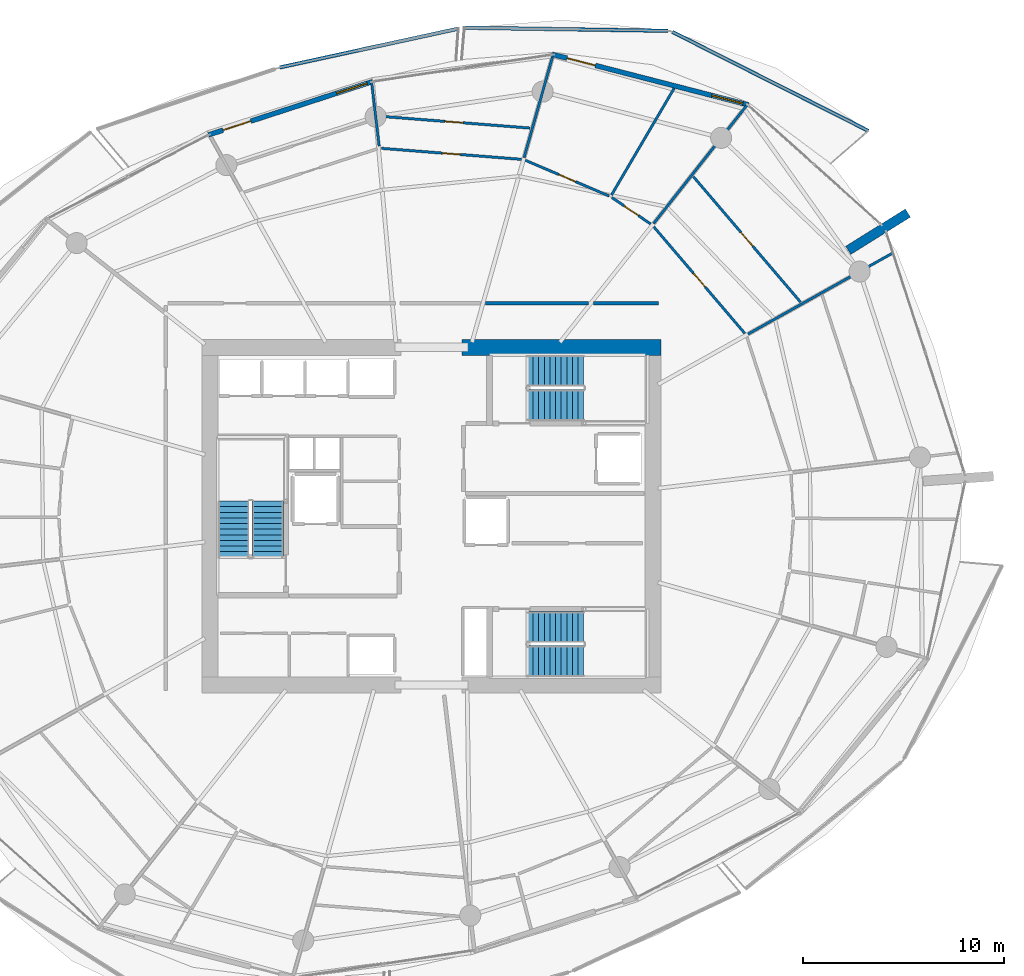
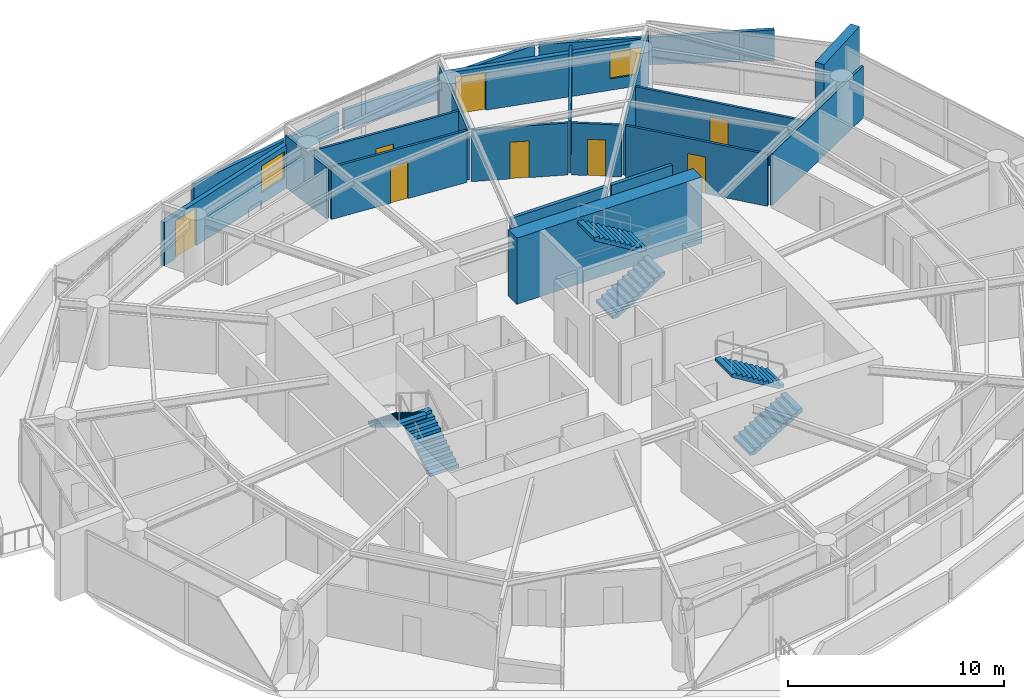
# One storey, part 15 of 20: 20 walls, 8 doors, 6 stair flights, 2 windows, 10 openings, 3 elements without a shape of their own.
"""IFC4 building model written with IfcOpenShell, lengths in metres."""

from ifc_helpers import new_model, si_unit, direction, frame, frame_2d, origin, place, context, subcontext, project, spatial, polyline, rectangle, outline, extrude, material, layer, layer_set, type_object, element, fill, aggregate, save


model = new_model("IFC4")

# Units and contexts
model_context = context("Model", 3, precision=1e-05, world=origin(), true_north=direction((0.0, 1.0)))
body_context = subcontext(model_context, "Body", "Model", "MODEL_VIEW")
ifc_project = project(units=[si_unit("LENGTHUNIT", "METRE"), si_unit("AREAUNIT", "SQUARE_METRE"), si_unit("VOLUMEUNIT", "CUBIC_METRE"), si_unit("PLANEANGLEUNIT", "RADIAN"), si_unit("MASSUNIT", "GRAM", prefix="KILO")], contexts=[model_context])

# Site, building, storey
site_placement = place(None, origin())
site = spatial("IfcSite", under=ifc_project, at=site_placement, CompositionType="ELEMENT")
building_placement = place(site_placement, origin())
building = spatial("IfcBuilding", under=site, at=building_placement, Name="Kazma Halo Residences", CompositionType="ELEMENT")
storey_placement = place(building_placement, frame((0.0, 0.0, 142.800048828125)))
storey = spatial("IfcBuildingStorey", under=building, at=storey_placement, Name="L35", CompositionType="ELEMENT", Elevation=142.800048828125)

# Walls
ifc_material_1 = material(Name="White Concrete C50/60 Balustrade", Category="concrete")
ifc_layer_1 = layer(ifc_material_1, 0.179931640625)
ifc_layer_set_1 = layer_set([ifc_layer_1], Name="White Concrete C50/60 Balustrade")
wall_type_1 = type_object("IfcWallType", Name="WL-BAL-WAVE-180", PredefinedType="PARAPET", material=ifc_layer_set_1)
wall_1_placement = place(storey_placement, frame((70.169921875, 61.170166015625, 0.0), z_axis=(0.0, 0.0, 1.0), x_axis=(-0.892736735019, 0.450578652344, 0.0)))
element("IfcWall", 1, at=wall_1_placement, inside=storey, type_object=wall_type_1, Name="L35 white wave balustrade wall NE.1", PredefinedType="PARAPET", context=body_context, shape_type="SweptSolid", body=[
    extrude(outline(polyline([(0.0, 0.0), (10.930419921875, 0.0), (10.930419921875, 1.347900390625), (5.46533203125, 1.56201171875), (0.0, 1.7470703125), (0.0, 0.0)])), frame((0.0, 0.08984375, 0.0), z_axis=(0.0, -1.0, 0.0), x_axis=(1.0, 0.0, 0.0)), (0.0, 0.0, 1.0), 0.179931640625),
])
wall_2_placement = place(storey_placement, frame((60.184814453125, 66.151123046875, 0.0), z_axis=(0.0, 0.0, 1.0), x_axis=(-0.999886405962, 0.015072331381, 0.0)))
element("IfcWall", 2, at=wall_2_placement, inside=storey, type_object=wall_type_1, Name="L35 white wave balustrade wall NE.2", PredefinedType="PARAPET", context=body_context, shape_type="SweptSolid", body=[
    extrude(outline(polyline([(0.0, 0.0), (10.123779296875, 0.0), (10.12353515625, 1.119873046875), (5.061767578125, 1.181884765625), (0.0, 1.347900390625), (0.0, 0.0)])), frame((0.0, 0.08984375, 0.0), z_axis=(0.0, -1.0, 0.0), x_axis=(1.0, 0.0, 0.0)), (0.0, 0.0, 1.0), 0.179931640625),
])
wall_3_placement = place(storey_placement, frame((49.76025390625, 66.258544921875, 0.0), z_axis=(0.0, 0.0, 1.0), x_axis=(-0.977181934864, -0.212404016384, 0.0)))
element("IfcWall", 3, at=wall_3_placement, inside=storey, type_object=wall_type_1, Name="L35 white wave balustrade wall NNW.1", PredefinedType="PARAPET", context=body_context, shape_type="SweptSolid", body=[
    extrude(outline(polyline([(0.0, 0.0), (9.096435546875, 0.0), (9.096435546875, 1.347900390625), (4.54833984375, 1.181884765625), (0.0, 1.119873046875), (0.0, 0.0)])), frame((0.0, 0.08984375, 0.0), z_axis=(0.0, -1.0, 0.0), x_axis=(1.0, 0.0, 0.0)), (0.0, 0.0, 1.0), 0.179931640625),
])
ifc_material_2 = material(Name="Pale Concrete C60/75", Category="concrete")
ifc_layer_2 = layer(ifc_material_2, 0.47998046875)
ifc_layer_set_2 = layer_set([ifc_layer_2], Name="Pale Concrete C60/75")
wall_type_2 = type_object("IfcWallType", Name="WL-BLADE-480", PredefinedType="SOLIDWALL", material=ifc_layer_set_2)
wall_4_placement = place(storey_placement, frame((69.165283203125, 55.2255859375, 0.0), z_axis=(0.0, 0.0, 1.0), x_axis=(0.848053161125, 0.529911158502, 0.0)))
element("IfcWall", 4, at=wall_4_placement, inside=storey, type_object=wall_type_2, Name="L35 pale concrete structural blade fin wall BW-01", PredefinedType="SOLIDWALL", context=body_context, shape_type="SweptSolid", body=[
    extrude(rectangle(XDim=3.5, YDim=0.47998046875, at=frame_2d((1.75, 0.0))), origin(), (0.0, 0.0, 1.0), 3.75),
])
ifc_material_3 = material(Name="Concrete C80/95", Category="concrete")
ifc_layer_3 = layer(ifc_material_3, 0.800048828125)
ifc_layer_set_3 = layer_set([ifc_layer_3], Name="Concrete C80/95")
wall_type_3 = type_object("IfcWallType", Name="WL-CORE-800", PredefinedType="SHEAR", material=ifc_layer_set_3)
wall_5_placement = place(storey_placement, frame((49.949951171875, 50.39990234375, 0.0), z_axis=(0.0, 0.0, 1.0), x_axis=(1.0, 0.0, 0.0)))
element("IfcWall", 5, at=wall_5_placement, inside=storey, type_object=wall_type_3, Name="L35 central core shear wall NE", PredefinedType="SHEAR", context=body_context, shape_type="SweptSolid", body=[
    extrude(rectangle(XDim=9.900146484375, YDim=0.800048828125, at=frame_2d((4.9501953125, 0.0))), origin(), (0.0, 0.0, 1.0), 3.75),
])
ifc_material_4 = material(Name="Acoustic Twin-Stud Gypsum")
ifc_layer_4 = layer(ifc_material_4, 0.179931640625)
ifc_layer_set_4 = layer_set([ifc_layer_4], Name="Acoustic Twin-Stud Gypsum")
wall_type_4 = type_object("IfcWallType", Name="WL-DEM-180", PredefinedType="PARTITIONING", material=ifc_layer_set_4)
wall_6_placement = place(storey_placement, frame((59.72998046875, 52.60009765625, 0.0), z_axis=(0.0, 0.0, 1.0), x_axis=(-1.0, 0.0, 0.0)))
element("IfcWall", 6, at=wall_6_placement, inside=storey, type_object=wall_type_4, Name="L35 Apartment 2 inner wall 0", PredefinedType="PARTITIONING", context=body_context, shape_type="SweptSolid", body=[
    extrude(rectangle(XDim=3.253662109375, YDim=0.179931640625, at=frame_2d((1.626953125, 0.0))), origin(), (0.0, 0.0, 1.0), 2.93994140625),
])
wall_7_placement = place(storey_placement, frame((56.236328125, 52.60009765625, 0.0), z_axis=(0.0, 0.0, 1.0), x_axis=(-1.0, 0.0, 0.0)))
element("IfcWall", 7, at=wall_7_placement, inside=storey, type_object=wall_type_4, Name="L35 Apartment 2 inner wall 1", PredefinedType="PARTITIONING", context=body_context, shape_type="SweptSolid", body=[
    extrude(rectangle(XDim=5.126708984375, YDim=0.179931640625, at=frame_2d((2.5634765625, 0.0))), origin(), (0.0, 0.0, 1.0), 2.93994140625),
])

# Wall, openings, door, window
ifc_material_5 = material(Name="Insulated Pale-Metal Composite Wall")
ifc_layer_5 = layer(ifc_material_5, 0.239990234375)
ifc_layer_set_5 = layer_set([ifc_layer_5], Name="Insulated Pale-Metal Composite Wall")
wall_type_5 = type_object("IfcWallType", Name="WL-EXT-HOST-240", PredefinedType="SOLIDWALL", material=ifc_layer_set_5)
wall_8_placement = place(storey_placement, frame((64.192138671875, 62.4658203125, 0.0), z_axis=(0.0, 0.0, 1.0), x_axis=(-0.968379685126, 0.249481032214, 0.0)))
wall_8 = element("IfcWall", 8, at=wall_8_placement, inside=storey, type_object=wall_type_5, Name="L35 exterior terrace-access wall B02", PredefinedType="SOLIDWALL", context=body_context, shape_type="SweptSolid", body=[
    extrude(rectangle(XDim=10.08154296875, YDim=0.239990234375, at=frame_2d((5.040771484375, 0.0))), origin(), (0.0, 0.0, 1.0), 2.449951171875),
])
opening_1_placement = place(wall_8_placement, frame((7.861572265625, 0.0, 0.0)))
opening_1 = element("IfcOpeningElement", 9, at=opening_1_placement, cuts=wall_8, Name="Opening DTR-1600", PredefinedType="OPENING", context=body_context, shape_type="SweptSolid", body=[
    extrude(rectangle(XDim=1.449951171875, YDim=2.14990234375, at=frame_2d((0.72509765625, 1.074951171875))), frame((0.0, 0.1298828125, 0.0), z_axis=(0.0, -1.0, 0.0), x_axis=(1.0, 0.0, 0.0)), (0.0, 0.0, 1.0), 0.260009765625),
])
opening_2_placement = place(wall_8_placement, frame((0.280029296875, 0.0, 0.64990234375)))
opening_2 = element("IfcOpeningElement", 10, at=opening_2_placement, cuts=wall_8, Name="Opening W-1800", PredefinedType="OPENING", context=body_context, shape_type="SweptSolid", body=[
    extrude(rectangle(XDim=1.60009765625, YDim=1.5, at=frame_2d((0.800048828125, 0.75))), frame((0.0, 0.1298828125, 0.0), z_axis=(0.0, -1.0, 0.0), x_axis=(1.0, 0.0, 0.0)), (0.0, 0.0, 1.0), 0.260009765625),
])
ifc_material_6 = material(Name="Aluminium AW-6063 T6 Double-Glazed Terrace Door", Category="aluminium")
door_type_1 = type_object("IfcDoorType", Name="DR-EXT-TERR-1600", OperationType="NOTDEFINED", PredefinedType="DOOR", material=ifc_material_6)
door_1_placement = place(opening_1_placement, origin())
door_1 = element("IfcDoor", 11, at=door_1_placement, inside=storey, type_object=door_type_1, Name="L35 B02 balcony terrace door", OperationType="DOUBLE_DOOR_SLIDING", OverallHeight=2.14990234375, OverallWidth=1.449951171875, PredefinedType="DOOR", context=body_context, shape_type="SweptSolid", body=[
    extrude(rectangle(XDim=1.449951171875, YDim=2.14990234375, at=frame_2d((0.72509765625, 1.074951171875))), frame((0.0, 0.02490234375, 0.0), z_axis=(0.0, -1.0, 0.0), x_axis=(1.0, 0.0, 0.0)), (0.0, 0.0, 1.0), 0.050048828125),
])
fill(opening_1, door_1)
ifc_material_7 = material(Name="Clear Triple-Silver Low-E Glass in Aluminium AW-6063 T6 Frame", Category="aluminium")
window_type = type_object("IfcWindowType", Name="WIN-RES-1800", PartitioningType="DOUBLE_PANEL_VERTICAL", PredefinedType="WINDOW", material=ifc_material_7)
window_1_placement = place(opening_2_placement, origin())
window_1 = element("IfcWindow", 12, at=window_1_placement, inside=storey, type_object=window_type, Name="L35 B02 apartment window", OverallHeight=1.5, OverallWidth=1.60009765625, PartitioningType="SINGLE_PANEL", PredefinedType="WINDOW", context=body_context, shape_type="SweptSolid", body=[
    extrude(rectangle(XDim=1.60009765625, YDim=1.5, at=frame_2d((0.800048828125, 0.75))), frame((0.0, 0.030029296875, 0.0), z_axis=(0.0, -1.0, 0.0), x_axis=(1.0, 0.0, 0.0)), (0.0, 0.0, 1.0), 0.06005859375),
])
fill(opening_2, window_1)

wall_9_placement = place(storey_placement, frame((45.489990234375, 63.624267578125, 0.0), z_axis=(0.0, 0.0, 1.0), x_axis=(-0.951046390632, -0.309048156224, 0.0)))
wall_9 = element("IfcWall", 13, at=wall_9_placement, inside=storey, type_object=wall_type_5, Name="L35 exterior terrace-access wall B04", PredefinedType="SOLIDWALL", context=body_context, shape_type="SweptSolid", body=[
    extrude(rectangle(XDim=8.590087890625, YDim=0.239990234375, at=frame_2d((4.294921875, 0.0))), origin(), (0.0, 0.0, 1.0), 2.449951171875),
])
opening_3_placement = place(wall_9_placement, frame((6.370361328125, 0.0, 0.0)))
opening_3 = element("IfcOpeningElement", 14, at=opening_3_placement, cuts=wall_9, Name="Opening DTR-1600", PredefinedType="OPENING", context=body_context, shape_type="SweptSolid", body=[
    extrude(rectangle(XDim=1.449951171875, YDim=2.14990234375, at=frame_2d((0.72509765625, 1.074951171875))), frame((0.0, 0.1298828125, 0.0), z_axis=(0.0, -1.0, 0.0), x_axis=(1.0, 0.0, 0.0)), (0.0, 0.0, 1.0), 0.260009765625),
])
opening_4_placement = place(wall_9_placement, frame((0.280029296875, 0.0, 0.64990234375)))
opening_4 = element("IfcOpeningElement", 15, at=opening_4_placement, cuts=wall_9, Name="Opening W-1800", PredefinedType="OPENING", context=body_context, shape_type="SweptSolid", body=[
    extrude(rectangle(XDim=1.60009765625, YDim=1.5, at=frame_2d((0.800048828125, 0.75))), frame((0.0, 0.1298828125, 0.0), z_axis=(0.0, -1.0, 0.0), x_axis=(1.0, 0.0, 0.0)), (0.0, 0.0, 1.0), 0.260009765625),
])
door_2_placement = place(opening_3_placement, origin())
door_2 = element("IfcDoor", 16, at=door_2_placement, inside=storey, type_object=door_type_1, Name="L35 B04 balcony terrace door", OperationType="DOUBLE_DOOR_SLIDING", OverallHeight=2.14990234375, OverallWidth=1.449951171875, PredefinedType="DOOR", context=body_context, shape_type="SweptSolid", body=[
    extrude(rectangle(XDim=1.449951171875, YDim=2.14990234375, at=frame_2d((0.72509765625, 1.074951171875))), frame((0.0, 0.02490234375, 0.0), z_axis=(0.0, -1.0, 0.0), x_axis=(1.0, 0.0, 0.0)), (0.0, 0.0, 1.0), 0.050048828125),
])
fill(opening_3, door_2)
window_2_placement = place(opening_4_placement, origin())
window_2 = element("IfcWindow", 17, at=window_2_placement, inside=storey, type_object=window_type, Name="L35 B04 apartment window", OverallHeight=1.5, OverallWidth=1.60009765625, PartitioningType="SINGLE_PANEL", PredefinedType="WINDOW", context=body_context, shape_type="SweptSolid", body=[
    extrude(rectangle(XDim=1.60009765625, YDim=1.5, at=frame_2d((0.800048828125, 0.75))), frame((0.0, 0.030029296875, 0.0), z_axis=(0.0, -1.0, 0.0), x_axis=(1.0, 0.0, 0.0)), (0.0, 0.0, 1.0), 0.06005859375),
])
fill(opening_4, window_2)

# Wall
ifc_material_8 = material(Name="Gypsum Plasterboard Partition")
ifc_layer_6 = layer(ifc_material_8, 0.125)
ifc_layer_set_6 = layer_set([ifc_layer_6], Name="Gypsum Plasterboard Partition")
wall_type_6 = type_object("IfcWallType", Name="WL-PART-125", PredefinedType="PARTITIONING", material=ifc_layer_set_6)
wall_10_placement = place(storey_placement, frame((64.17529296875, 51.05859375, 0.0), z_axis=(0.0, 0.0, 1.0), x_axis=(0.872491881101, 0.488628608877, 0.0)))
element("IfcWall", 18, at=wall_10_placement, inside=storey, type_object=wall_type_6, Name="L35 Apartment 2 radial partition 0", PredefinedType="PARTITIONING", context=body_context, shape_type="SweptSolid", body=[
    extrude(rectangle(XDim=8.2470703125, YDim=0.125, at=frame_2d((4.12353515625, 0.0))), origin(), (0.0, 0.0, 1.0), 2.93994140625),
])

# Wall, opening, door
wall_11_placement = place(storey_placement, frame((64.0166015625, 51.09326171875, 0.0), z_axis=(0.0, 0.0, 1.0), x_axis=(-0.649447060425, 0.76040680935, 0.0)))
wall_11 = element("IfcWall", 19, at=wall_11_placement, inside=storey, type_object=wall_type_6, Name="L35 Apartment 2 Sky Study hall wall", PredefinedType="PARTITIONING", context=body_context, shape_type="SweptSolid", body=[
    extrude(rectangle(XDim=6.974853515625, YDim=0.125, at=frame_2d((3.4873046875, 0.0))), origin(), (0.0, 0.0, 1.0), 2.93994140625),
])
opening_5_placement = place(wall_11_placement, frame((3.037353515625, 0.0, 0.0)))
opening_5 = element("IfcOpeningElement", 20, at=opening_5_placement, cuts=wall_11, Name="Opening DI-950", PredefinedType="OPENING", context=body_context, shape_type="SweptSolid", body=[
    extrude(rectangle(XDim=0.89990234375, YDim=2.080078125, at=frame_2d((0.449951171875, 1.0400390625))), frame((0.0, 0.072509765625, 0.0), z_axis=(0.0, -1.0, 0.0), x_axis=(1.0, 0.0, 0.0)), (0.0, 0.0, 1.0), 0.14501953125),
])
ifc_material_9 = material(Name="Timber Veneer Flush Leaf", Category="wood")
door_type_2 = type_object("IfcDoorType", Name="DR-INT-950", OperationType="NOTDEFINED", PredefinedType="DOOR", material=ifc_material_9)
door_3_placement = place(opening_5_placement, origin())
door_3 = element("IfcDoor", 21, at=door_3_placement, inside=storey, type_object=door_type_2, Name="L35 Apartment 2 Sky Study door", OperationType="SINGLE_SWING_RIGHT", OverallHeight=2.080078125, OverallWidth=0.89990234375, PredefinedType="DOOR", context=body_context, shape_type="SweptSolid", body=[
    extrude(rectangle(XDim=0.89990234375, YDim=2.080078125, at=frame_2d((0.449951171875, 1.0400390625))), frame((0.0, 0.02490234375, 0.0), z_axis=(0.0, -1.0, 0.0), x_axis=(1.0, 0.0, 0.0)), (0.0, 0.0, 1.0), 0.050048828125),
])
fill(opening_5, door_3)

wall_12_placement = place(storey_placement, frame((66.7919921875, 52.647705078125, 0.0), z_axis=(0.0, 0.0, 1.0), x_axis=(-0.649446834215, 0.76040700255, 0.0)))
wall_12 = element("IfcWall", 22, at=wall_12_placement, inside=storey, type_object=wall_type_6, Name="L35 Apartment 2 Gulf Master Bedroom divider wall", PredefinedType="PARTITIONING", context=body_context, shape_type="SweptSolid", body=[
    extrude(rectangle(XDim=8.2158203125, YDim=0.125, at=frame_2d((4.10791015625, 0.0))), origin(), (0.0, 0.0, 1.0), 2.93994140625),
])
opening_6_placement = place(wall_12_placement, frame((3.657958984375, 0.0, 0.0)))
opening_6 = element("IfcOpeningElement", 23, at=opening_6_placement, cuts=wall_12, Name="Opening DI-950", PredefinedType="OPENING", context=body_context, shape_type="SweptSolid", body=[
    extrude(rectangle(XDim=0.89990234375, YDim=2.080078125, at=frame_2d((0.449951171875, 1.0400390625))), frame((0.0, 0.072509765625, 0.0), z_axis=(0.0, -1.0, 0.0), x_axis=(1.0, 0.0, 0.0)), (0.0, 0.0, 1.0), 0.14501953125),
])
door_4_placement = place(opening_6_placement, origin())
door_4 = element("IfcDoor", 24, at=door_4_placement, inside=storey, type_object=door_type_2, Name="L35 Apartment 2 Gulf Master Bedroom door", OperationType="SINGLE_SWING_LEFT", OverallHeight=2.080078125, OverallWidth=0.89990234375, PredefinedType="DOOR", context=body_context, shape_type="SweptSolid", body=[
    extrude(rectangle(XDim=0.89990234375, YDim=2.080078125, at=frame_2d((0.449951171875, 1.0400390625))), frame((0.0, 0.02490234375, 0.0), z_axis=(0.0, -1.0, 0.0), x_axis=(1.0, 0.0, 0.0)), (0.0, 0.0, 1.0), 0.050048828125),
])
fill(opening_6, door_4)

# Walls
wall_13_placement = place(storey_placement, frame((59.477294921875, 56.55908203125, 0.0), z_axis=(0.0, 0.0, 1.0), x_axis=(0.619110986016, 0.785303499925, 0.0)))
element("IfcWall", 25, at=wall_13_placement, inside=storey, type_object=wall_type_6, Name="L35 Apartment 2 radial partition 1", PredefinedType="PARTITIONING", context=body_context, shape_type="SweptSolid", body=[
    extrude(rectangle(XDim=7.5126953125, YDim=0.125, at=frame_2d((3.75634765625, 0.0))), origin(), (0.0, 0.0, 1.0), 2.93994140625),
])
wall_14_placement = place(storey_placement, frame((57.3818359375, 57.978271484375, 0.0), z_axis=(0.0, 0.0, 1.0), x_axis=(0.506339561396, 0.862334186128, 0.0)))
element("IfcWall", 26, at=wall_14_placement, inside=storey, type_object=wall_type_6, Name="L35 Apartment 2 mid-bay wall 1", PredefinedType="PARTITIONING", context=body_context, shape_type="SweptSolid", body=[
    extrude(rectangle(XDim=6.16259765625, YDim=0.125, at=frame_2d((3.081298828125, 0.0))), origin(), (0.0, 0.0, 1.0), 2.93994140625),
])

# Wall, opening, door
wall_15_placement = place(storey_placement, frame((59.3330078125, 56.536865234375, 0.0), z_axis=(0.0, 0.0, 1.0), x_axis=(-0.825780816813, 0.563991172434, 0.0)))
wall_15 = element("IfcWall", 27, at=wall_15_placement, inside=storey, type_object=wall_type_6, Name="L35 Apartment 2 Primary Wine Pantry Store hall wall", PredefinedType="PARTITIONING", context=body_context, shape_type="SweptSolid", body=[
    extrude(rectangle(XDim=2.337890625, YDim=0.125, at=frame_2d((1.1689453125, 0.0))), origin(), (0.0, 0.0, 1.0), 2.93994140625),
])
opening_7_placement = place(wall_15_placement, frame((0.743896484375, 0.0, 0.0)))
opening_7 = element("IfcOpeningElement", 28, at=opening_7_placement, cuts=wall_15, Name="Opening DB-900", PredefinedType="OPENING", context=body_context, shape_type="SweptSolid", body=[
    extrude(rectangle(XDim=0.85009765625, YDim=2.06005859375, at=frame_2d((0.425048828125, 1.030029296875))), frame((0.0, 0.072509765625, 0.0), z_axis=(0.0, -1.0, 0.0), x_axis=(1.0, 0.0, 0.0)), (0.0, 0.0, 1.0), 0.14501953125),
])
ifc_material_10 = material(Name="Moisture-Sealed Timber Leaf", Category="wood")
door_type_3 = type_object("IfcDoorType", Name="DR-BTH-900", OperationType="NOTDEFINED", PredefinedType="DOOR", material=ifc_material_10)
door_5_placement = place(opening_7_placement, origin())
door_5 = element("IfcDoor", 29, at=door_5_placement, inside=storey, type_object=door_type_3, Name="L35 Apartment 2 Primary Wine Pantry Store door", OperationType="SINGLE_SWING_LEFT", OverallHeight=2.06005859375, OverallWidth=0.85009765625, PredefinedType="DOOR", context=body_context, shape_type="SweptSolid", body=[
    extrude(rectangle(XDim=0.85009765625, YDim=2.06005859375, at=frame_2d((0.425048828125, 1.030029296875))), frame((0.0, 0.02490234375, 0.0), z_axis=(0.0, -1.0, 0.0), x_axis=(1.0, 0.0, 0.0)), (0.0, 0.0, 1.0), 0.050048828125),
])
fill(opening_7, door_5)

wall_16_placement = place(storey_placement, frame((57.2626953125, 57.931884765625, 0.0), z_axis=(0.0, 0.0, 1.0), x_axis=(-0.919910192906, 0.392129107549, 0.0)))
wall_16 = element("IfcWall", 30, at=wall_16_placement, inside=storey, type_object=wall_type_6, Name="L35 Apartment 2 Secondary Formal Dining Room hall wall", PredefinedType="PARTITIONING", context=body_context, shape_type="SweptSolid", body=[
    extrude(rectangle(XDim=4.528076171875, YDim=0.125, at=frame_2d((2.26416015625, 0.0))), origin(), (0.0, 0.0, 1.0), 2.93994140625),
])
opening_8_placement = place(wall_16_placement, frame((1.814208984375, 0.0, 0.0)))
opening_8 = element("IfcOpeningElement", 31, at=opening_8_placement, cuts=wall_16, Name="Opening DI-950", PredefinedType="OPENING", context=body_context, shape_type="SweptSolid", body=[
    extrude(rectangle(XDim=0.89990234375, YDim=2.080078125, at=frame_2d((0.449951171875, 1.0400390625))), frame((0.0, 0.072509765625, 0.0), z_axis=(0.0, -1.0, 0.0), x_axis=(1.0, 0.0, 0.0)), (0.0, 0.0, 1.0), 0.14501953125),
])
door_6_placement = place(opening_8_placement, origin())
door_6 = element("IfcDoor", 32, at=door_6_placement, inside=storey, type_object=door_type_2, Name="L35 Apartment 2 Secondary Formal Dining Room door", OperationType="SINGLE_SWING_RIGHT", OverallHeight=2.080078125, OverallWidth=0.89990234375, PredefinedType="DOOR", context=body_context, shape_type="SweptSolid", body=[
    extrude(rectangle(XDim=0.89990234375, YDim=2.080078125, at=frame_2d((0.449951171875, 1.0400390625))), frame((0.0, 0.02490234375, 0.0), z_axis=(0.0, -1.0, 0.0), x_axis=(1.0, 0.0, 0.0)), (0.0, 0.0, 1.0), 0.050048828125),
])
fill(opening_8, door_6)

# Wall
wall_17_placement = place(storey_placement, frame((53.0322265625, 59.843017578125, 0.0), z_axis=(0.0, 0.0, 1.0), x_axis=(0.271445669276, 0.962453764412, 0.0)))
element("IfcWall", 33, at=wall_17_placement, inside=storey, type_object=wall_type_6, Name="L35 Apartment 2 radial partition 2", PredefinedType="PARTITIONING", context=body_context, shape_type="SweptSolid", body=[
    extrude(rectangle(XDim=5.200439453125, YDim=0.125, at=frame_2d((2.60009765625, 0.0))), origin(), (0.0, 0.0, 1.0), 2.93994140625),
])

# Wall, opening, door
wall_18_placement = place(storey_placement, frame((52.8955078125, 59.75537109375, 0.0), z_axis=(0.0, 0.0, 1.0), x_axis=(-0.996918496177, 0.078444324085, 0.0)))
wall_18 = element("IfcWall", 34, at=wall_18_placement, inside=storey, type_object=wall_type_6, Name="L35 Apartment 2 East Study hall wall", PredefinedType="PARTITIONING", context=body_context, shape_type="SweptSolid", body=[
    extrude(rectangle(XDim=6.974609375, YDim=0.125, at=frame_2d((3.4873046875, 0.0))), origin(), (0.0, 0.0, 1.0), 2.93994140625),
])
opening_9_placement = place(wall_18_placement, frame((3.037353515625, 0.0, 0.0)))
opening_9 = element("IfcOpeningElement", 35, at=opening_9_placement, cuts=wall_18, Name="Opening DI-950", PredefinedType="OPENING", context=body_context, shape_type="SweptSolid", body=[
    extrude(rectangle(XDim=0.89990234375, YDim=2.080078125, at=frame_2d((0.449951171875, 1.0400390625))), frame((0.0, 0.072509765625, 0.0), z_axis=(0.0, -1.0, 0.0), x_axis=(1.0, 0.0, 0.0)), (0.0, 0.0, 1.0), 0.14501953125),
])
door_7_placement = place(opening_9_placement, origin())
door_7 = element("IfcDoor", 36, at=door_7_placement, inside=storey, type_object=door_type_2, Name="L35 Apartment 2 East Study door", OperationType="SINGLE_SWING_RIGHT", OverallHeight=2.080078125, OverallWidth=0.89990234375, PredefinedType="DOOR", context=body_context, shape_type="SweptSolid", body=[
    extrude(rectangle(XDim=0.89990234375, YDim=2.080078125, at=frame_2d((0.449951171875, 1.0400390625))), frame((0.0, 0.02490234375, 0.0), z_axis=(0.0, -1.0, 0.0), x_axis=(1.0, 0.0, 0.0)), (0.0, 0.0, 1.0), 0.050048828125),
])
fill(opening_9, door_7)

wall_19_placement = place(storey_placement, frame((53.333740234375, 61.309814453125, 0.0), z_axis=(0.0, 0.0, 1.0), x_axis=(-0.996916945499, 0.078464028559, 0.0)))
wall_19 = element("IfcWall", 37, at=wall_19_placement, inside=storey, type_object=wall_type_6, Name="L35 Apartment 2 West Bedroom divider wall", PredefinedType="PARTITIONING", context=body_context, shape_type="SweptSolid", body=[
    extrude(rectangle(XDim=7.6044921875, YDim=0.125, at=frame_2d((3.80224609375, 0.0))), origin(), (0.0, 0.0, 1.0), 2.93994140625),
])
opening_10_placement = place(wall_19_placement, frame((3.352294921875, 0.0, 0.0)))
opening_10 = element("IfcOpeningElement", 38, at=opening_10_placement, cuts=wall_19, Name="Opening DI-950", PredefinedType="OPENING", context=body_context, shape_type="SweptSolid", body=[
    extrude(rectangle(XDim=0.89990234375, YDim=2.080078125, at=frame_2d((0.449951171875, 1.0400390625))), frame((0.0, 0.072509765625, 0.0), z_axis=(0.0, -1.0, 0.0), x_axis=(1.0, 0.0, 0.0)), (0.0, 0.0, 1.0), 0.14501953125),
])
door_8_placement = place(opening_10_placement, origin())
door_8 = element("IfcDoor", 39, at=door_8_placement, inside=storey, type_object=door_type_2, Name="L35 Apartment 2 West Bedroom door", OperationType="SINGLE_SWING_LEFT", OverallHeight=2.080078125, OverallWidth=0.89990234375, PredefinedType="DOOR", context=body_context, shape_type="SweptSolid", body=[
    extrude(rectangle(XDim=0.89990234375, YDim=2.080078125, at=frame_2d((0.449951171875, 1.0400390625))), frame((0.0, 0.02490234375, 0.0), z_axis=(0.0, -1.0, 0.0), x_axis=(1.0, 0.0, 0.0)), (0.0, 0.0, 1.0), 0.050048828125),
])
fill(opening_10, door_8)

# Wall
wall_20_placement = place(storey_placement, frame((45.82080078125, 60.410400390625, 0.0), z_axis=(0.0, 0.0, 1.0), x_axis=(-0.117497237937, 0.993073209324, 0.0)))
element("IfcWall", 40, at=wall_20_placement, inside=storey, type_object=wall_type_6, Name="L35 Apartment 2 radial partition 3", PredefinedType="PARTITIONING", context=body_context, shape_type="SweptSolid", body=[
    extrude(rectangle(XDim=3.19580078125, YDim=0.125, at=frame_2d((1.597900390625, 0.0))), origin(), (0.0, 0.0, 1.0), 2.93994140625),
])

# Stair, stair flights
ifc_material_11 = material(Name="Concrete C50/60", Category="concrete")
stair_type = type_object("IfcStairType", Name="STR-RES1", PredefinedType="HALF_TURN_STAIR", material=ifc_material_11)
stair_1_placement = place(storey_placement, origin())
stair_1 = element("IfcStair", 41, at=stair_1_placement, inside=storey, type_object=stair_type, Name="L35 Core exit stair ST-01", PredefinedType="HALF_TURN_STAIR")
stair_flight_type = type_object("IfcStairFlightType", Name="STR-RES1-FLT", PredefinedType="STRAIGHT", material=ifc_material_11)
stair_flight_1_placement = place(storey_placement, frame((40.27490234375, 39.949951171875, 0.0), z_axis=(0.0, 0.0, 1.0), x_axis=(0.0, 1.0, 0.0)))
stair_flight_1 = element("IfcStairFlight", 42, at=stair_flight_1_placement, type_object=stair_flight_type, Name="ST-01 flight 1", NumberOfRisers=11, NumberOfTreads=10, PredefinedType="STRAIGHT", RiserHeight=0.170454545, TreadLength=0.28, context=body_context, shape_type="SweptSolid", body=[
    extrude(outline(polyline([(0.0, 0.0), (0.0, 0.17041015625), (0.280029296875, 0.17041015625), (0.280029296875, 0.3408203125), (0.56005859375, 0.3408203125), (0.56005859375, 0.511474609375), (0.840087890625, 0.511474609375), (0.840087890625, 0.681884765625), (1.1201171875, 0.681884765625), (1.1201171875, 0.852294921875), (1.39990234375, 0.852294921875), (1.39990234375, 1.022705078125), (1.679931640625, 1.022705078125), (1.679931640625, 1.193115234375), (1.9599609375, 1.193115234375), (1.9599609375, 1.363525390625), (2.239990234375, 1.363525390625), (2.239990234375, 1.5341796875), (2.52001953125, 1.5341796875), (2.52001953125, 1.70458984375), (2.800048828125, 1.70458984375), (2.800048828125, 1.875), (2.800048828125, 1.529052734375), (0.288330078125, 0.0), (0.0, 0.0)])), frame((0.0, 0.77490234375, 0.0), z_axis=(0.0, -1.0, 0.0), x_axis=(1.0, 0.0, 0.0)), (0.0, 0.0, 1.0), 1.550048828125),
])
stair_flight_2_placement = place(storey_placement, frame((38.574951171875, 42.75, 1.875), z_axis=(0.0, 0.0, 1.0), x_axis=(0.0, -1.0, 0.0)))
stair_flight_2 = element("IfcStairFlight", 43, at=stair_flight_2_placement, type_object=stair_flight_type, Name="ST-01 flight 2", NumberOfRisers=11, NumberOfTreads=10, PredefinedType="STRAIGHT", RiserHeight=0.170454545, TreadLength=0.28, context=body_context, shape_type="SweptSolid", body=[
    extrude(outline(polyline([(0.0, 0.0), (0.0, 0.17041015625), (0.280029296875, 0.17041015625), (0.280029296875, 0.3408203125), (0.56005859375, 0.3408203125), (0.56005859375, 0.511474609375), (0.840087890625, 0.511474609375), (0.840087890625, 0.681884765625), (1.1201171875, 0.681884765625), (1.1201171875, 0.852294921875), (1.39990234375, 0.852294921875), (1.39990234375, 1.022705078125), (1.679931640625, 1.022705078125), (1.679931640625, 1.193115234375), (1.9599609375, 1.193115234375), (1.9599609375, 1.363525390625), (2.239990234375, 1.363525390625), (2.239990234375, 1.5341796875), (2.52001953125, 1.5341796875), (2.52001953125, 1.70458984375), (2.800048828125, 1.70458984375), (2.800048828125, 1.875), (2.800048828125, 1.529052734375), (0.288330078125, 0.0), (0.0, 0.0)])), frame((0.0, 0.77490234375, 0.0), z_axis=(0.0, -1.0, 0.0), x_axis=(1.0, 0.0, 0.0)), (0.0, 0.0, 1.0), 1.550048828125),
])
aggregate(stair_1, [stair_flight_1, stair_flight_2])

stair_2_placement = place(storey_placement, origin())
stair_2 = element("IfcStair", 44, at=stair_2_placement, inside=storey, type_object=stair_type, Name="L35 Core exit stair ST-02", PredefinedType="HALF_TURN_STAIR")
stair_flight_3_placement = place(storey_placement, frame((53.199951171875, 47.52490234375, 0.0), z_axis=(0.0, 0.0, 1.0), x_axis=(1.0, 0.0, 0.0)))
stair_flight_3 = element("IfcStairFlight", 45, at=stair_flight_3_placement, type_object=stair_flight_type, Name="ST-02 flight 1", NumberOfRisers=11, NumberOfTreads=10, PredefinedType="STRAIGHT", RiserHeight=0.170454545, TreadLength=0.28, context=body_context, shape_type="SweptSolid", body=[
    extrude(outline(polyline([(0.0, 0.0), (0.0, 0.17041015625), (0.280029296875, 0.17041015625), (0.280029296875, 0.3408203125), (0.56005859375, 0.3408203125), (0.56005859375, 0.511474609375), (0.840087890625, 0.511474609375), (0.840087890625, 0.681884765625), (1.1201171875, 0.681884765625), (1.1201171875, 0.852294921875), (1.39990234375, 0.852294921875), (1.39990234375, 1.022705078125), (1.679931640625, 1.022705078125), (1.679931640625, 1.193115234375), (1.9599609375, 1.193115234375), (1.9599609375, 1.363525390625), (2.239990234375, 1.363525390625), (2.239990234375, 1.5341796875), (2.52001953125, 1.5341796875), (2.52001953125, 1.70458984375), (2.800048828125, 1.70458984375), (2.800048828125, 1.875), (2.800048828125, 1.529052734375), (0.288330078125, 0.0), (0.0, 0.0)])), frame((0.0, 0.77490234375, 0.0), z_axis=(0.0, -1.0, 0.0), x_axis=(1.0, 0.0, 0.0)), (0.0, 0.0, 1.0), 1.550048828125),
])
stair_flight_4_placement = place(storey_placement, frame((56.0, 49.22509765625, 1.875), z_axis=(0.0, 0.0, 1.0), x_axis=(-1.0, 0.0, 0.0)))
stair_flight_4 = element("IfcStairFlight", 46, at=stair_flight_4_placement, type_object=stair_flight_type, Name="ST-02 flight 2", NumberOfRisers=11, NumberOfTreads=10, PredefinedType="STRAIGHT", RiserHeight=0.170454545, TreadLength=0.28, context=body_context, shape_type="SweptSolid", body=[
    extrude(outline(polyline([(0.0, 0.0), (0.0, 0.17041015625), (0.280029296875, 0.17041015625), (0.280029296875, 0.3408203125), (0.56005859375, 0.3408203125), (0.56005859375, 0.511474609375), (0.840087890625, 0.511474609375), (0.840087890625, 0.681884765625), (1.1201171875, 0.681884765625), (1.1201171875, 0.852294921875), (1.39990234375, 0.852294921875), (1.39990234375, 1.022705078125), (1.679931640625, 1.022705078125), (1.679931640625, 1.193115234375), (1.9599609375, 1.193115234375), (1.9599609375, 1.363525390625), (2.239990234375, 1.363525390625), (2.239990234375, 1.5341796875), (2.52001953125, 1.5341796875), (2.52001953125, 1.70458984375), (2.800048828125, 1.70458984375), (2.800048828125, 1.875), (2.800048828125, 1.529052734375), (0.288330078125, 0.0), (0.0, 0.0)])), frame((0.0, 0.77490234375, 0.0), z_axis=(0.0, -1.0, 0.0), x_axis=(1.0, 0.0, 0.0)), (0.0, 0.0, 1.0), 1.550048828125),
])
aggregate(stair_2, [stair_flight_3, stair_flight_4])

stair_3_placement = place(storey_placement, origin())
stair_3 = element("IfcStair", 47, at=stair_3_placement, inside=storey, type_object=stair_type, Name="L35 Core exit stair ST-03", PredefinedType="HALF_TURN_STAIR")
stair_flight_5_placement = place(storey_placement, frame((53.199951171875, 34.77490234375, 0.0), z_axis=(0.0, 0.0, 1.0), x_axis=(1.0, 0.0, 0.0)))
stair_flight_5 = element("IfcStairFlight", 48, at=stair_flight_5_placement, type_object=stair_flight_type, Name="ST-03 flight 1", NumberOfRisers=11, NumberOfTreads=10, PredefinedType="STRAIGHT", RiserHeight=0.170454545, TreadLength=0.28, context=body_context, shape_type="SweptSolid", body=[
    extrude(outline(polyline([(0.0, 0.0), (0.0, 0.17041015625), (0.280029296875, 0.17041015625), (0.280029296875, 0.3408203125), (0.56005859375, 0.3408203125), (0.56005859375, 0.511474609375), (0.840087890625, 0.511474609375), (0.840087890625, 0.681884765625), (1.1201171875, 0.681884765625), (1.1201171875, 0.852294921875), (1.39990234375, 0.852294921875), (1.39990234375, 1.022705078125), (1.679931640625, 1.022705078125), (1.679931640625, 1.193115234375), (1.9599609375, 1.193115234375), (1.9599609375, 1.363525390625), (2.239990234375, 1.363525390625), (2.239990234375, 1.5341796875), (2.52001953125, 1.5341796875), (2.52001953125, 1.70458984375), (2.800048828125, 1.70458984375), (2.800048828125, 1.875), (2.800048828125, 1.529052734375), (0.288330078125, 0.0), (0.0, 0.0)])), frame((0.0, 0.77490234375, 0.0), z_axis=(0.0, -1.0, 0.0), x_axis=(1.0, 0.0, 0.0)), (0.0, 0.0, 1.0), 1.550048828125),
])
stair_flight_6_placement = place(storey_placement, frame((56.0, 36.47509765625, 1.875), z_axis=(0.0, 0.0, 1.0), x_axis=(-1.0, 0.0, 0.0)))
stair_flight_6 = element("IfcStairFlight", 49, at=stair_flight_6_placement, type_object=stair_flight_type, Name="ST-03 flight 2", NumberOfRisers=11, NumberOfTreads=10, PredefinedType="STRAIGHT", RiserHeight=0.170454545, TreadLength=0.28, context=body_context, shape_type="SweptSolid", body=[
    extrude(outline(polyline([(0.0, 0.0), (0.0, 0.17041015625), (0.280029296875, 0.17041015625), (0.280029296875, 0.3408203125), (0.56005859375, 0.3408203125), (0.56005859375, 0.511474609375), (0.840087890625, 0.511474609375), (0.840087890625, 0.681884765625), (1.1201171875, 0.681884765625), (1.1201171875, 0.852294921875), (1.39990234375, 0.852294921875), (1.39990234375, 1.022705078125), (1.679931640625, 1.022705078125), (1.679931640625, 1.193115234375), (1.9599609375, 1.193115234375), (1.9599609375, 1.363525390625), (2.239990234375, 1.363525390625), (2.239990234375, 1.5341796875), (2.52001953125, 1.5341796875), (2.52001953125, 1.70458984375), (2.800048828125, 1.70458984375), (2.800048828125, 1.875), (2.800048828125, 1.529052734375), (0.288330078125, 0.0), (0.0, 0.0)])), frame((0.0, 0.77490234375, 0.0), z_axis=(0.0, -1.0, 0.0), x_axis=(1.0, 0.0, 0.0)), (0.0, 0.0, 1.0), 1.550048828125),
])
aggregate(stair_3, [stair_flight_5, stair_flight_6])

save(model, "model.ifc")
